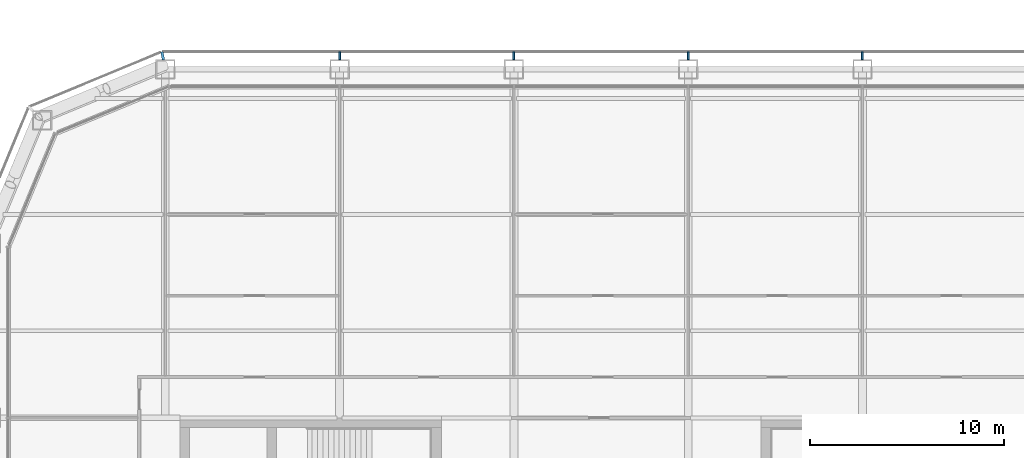
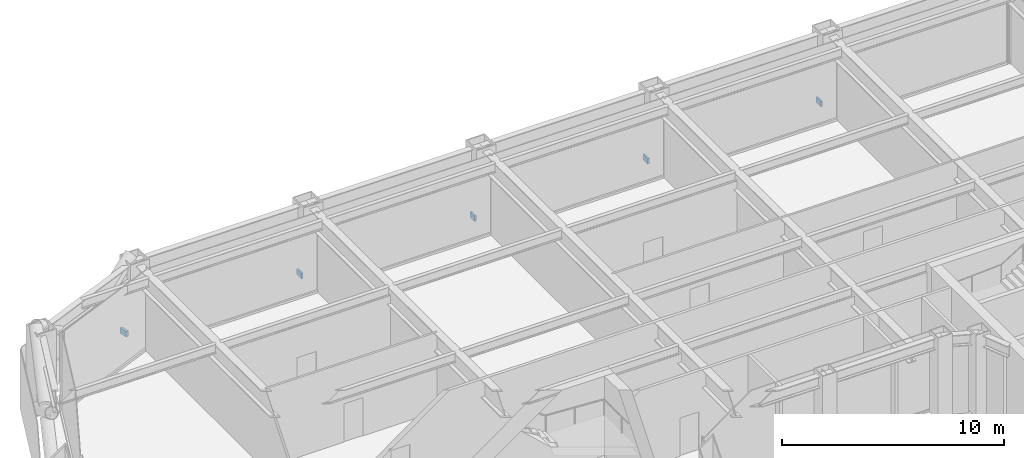
# One storey, part 23 of 30: 5 discrete accessories.
"""IFC4 building model written with IfcOpenShell, lengths in metres."""

from ifc_helpers import new_model, si_unit, direction, frame, origin, origin_2d, place, context, subcontext, project, spatial, rectangle, extrude, material, type_object, element, save


model = new_model("IFC4")

# Units and contexts
model_context = context("Model", 3, precision=1e-05, world=origin(), true_north=direction((0.0, 1.0)))
body_context = subcontext(model_context, "Body", "Model", "MODEL_VIEW")
ifc_project = project(units=[si_unit("LENGTHUNIT", "METRE"), si_unit("AREAUNIT", "SQUARE_METRE"), si_unit("VOLUMEUNIT", "CUBIC_METRE"), si_unit("PLANEANGLEUNIT", "RADIAN"), si_unit("MASSUNIT", "GRAM", prefix="KILO")], contexts=[model_context])

# Site, building, storey
site_placement = place(None, origin())
site = spatial("IfcSite", under=ifc_project, at=site_placement, CompositionType="ELEMENT")
building_placement = place(site_placement, origin())
building = spatial("IfcBuilding", under=site, at=building_placement, Name="Siwar Civic Tower", CompositionType="ELEMENT")
storey_placement = place(building_placement, frame((0.0, 0.0, 62.699951171875)))
storey = spatial("IfcBuildingStorey", under=building, at=storey_placement, Name="L13", CompositionType="ELEMENT", Elevation=62.699951171875)

# Discrete accessories
ifc_material = material(Name="Stainless steel 316", Category="steel")
discrete_accessory_type = type_object("IfcDiscreteAccessoryType", Name="ENV-BRACKET", PredefinedType="BRACKET", material=ifc_material)
for number, where, z_axis, x_axis, name in (
    (1, (13.5, 32.18994140625, -0.14990234375), (0.0, 0.0, 1.0), (0.0, 1.0, 0.0), "Bracket outer skin joint N-01"),
    (2, (4.5, 32.18994140625, -0.14990234375), (0.0, 0.0, 1.0), (0.0, 1.0, 0.0), "Bracket outer skin joint N-02"),
    (3, (-4.5, 32.18994140625, -0.14990234375), (0.0, 0.0, 1.0), (0.0, 1.0, 0.0), "Bracket outer skin joint N-03"),
    (4, (-13.5, 32.18994140625, -0.14990234375), (0.0, 0.0, 1.0), (0.0, 1.0, 0.0), "Bracket outer skin joint N-04"),
):
    element("IfcDiscreteAccessory", number, at=place(storey_placement, frame(where, z_axis=z_axis, x_axis=x_axis)), inside=storey, type_object=discrete_accessory_type, Name=name, PredefinedType="BRACKET", context=body_context, shape_type="SweptSolid", body=[
        extrude(rectangle(XDim=0.419921875, YDim=0.10009765625, at=origin_2d()), origin(), (0.0, 0.0, 1.0), 0.300048828125),
    ])
discrete_accessory_placement = place(storey_placement, frame((-22.63720703125, 32.190185546875, -0.14990234375), z_axis=(0.0, 0.0, 1.0), x_axis=(-0.195090322016, 0.980785280403, 0.0)))
element("IfcDiscreteAccessory", 5, at=discrete_accessory_placement, inside=storey, type_object=discrete_accessory_type, Name="Bracket outer skin joint V07", PredefinedType="BRACKET", context=body_context, shape_type="SweptSolid", body=[
    extrude(rectangle(XDim=0.427734375, YDim=0.13720703125, at=origin_2d()), origin(), (0.0, 0.0, 1.0), 0.300048828125),
])

save(model, "model.ifc")
